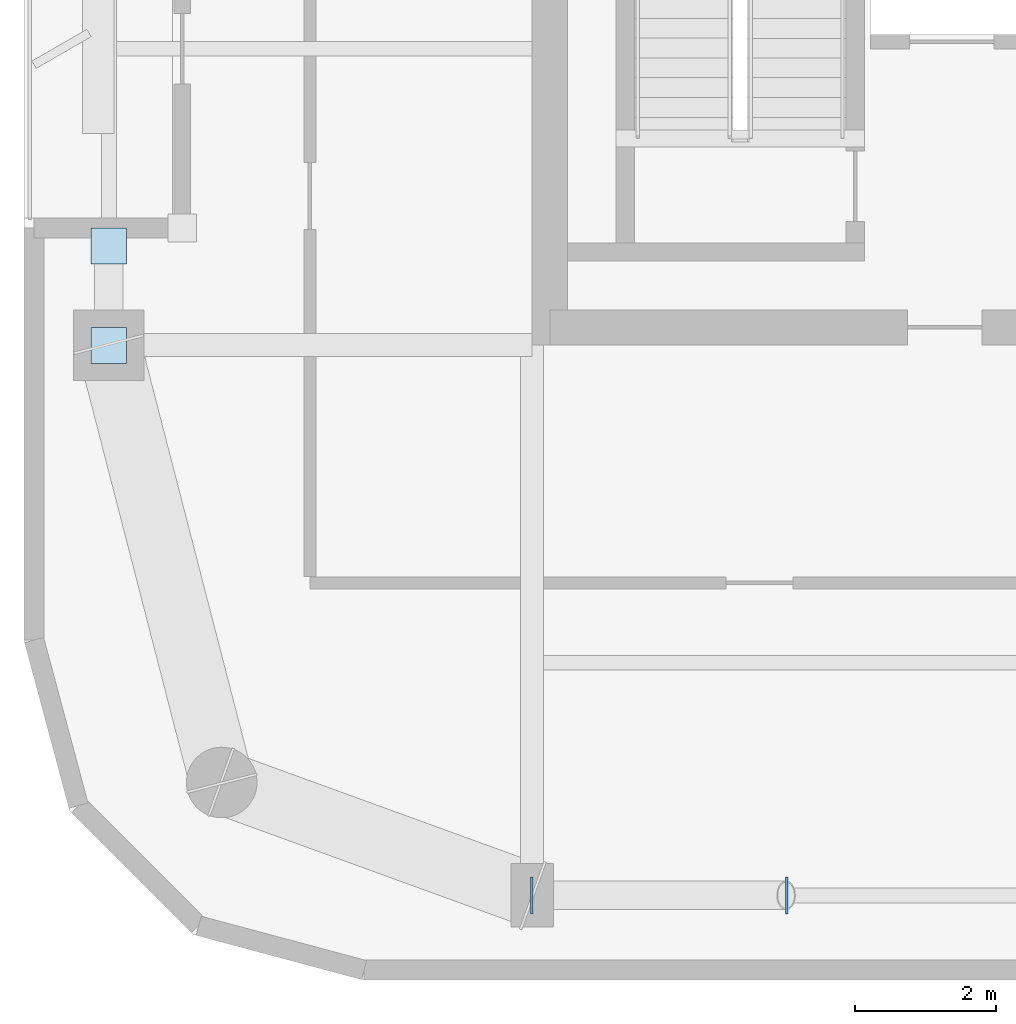
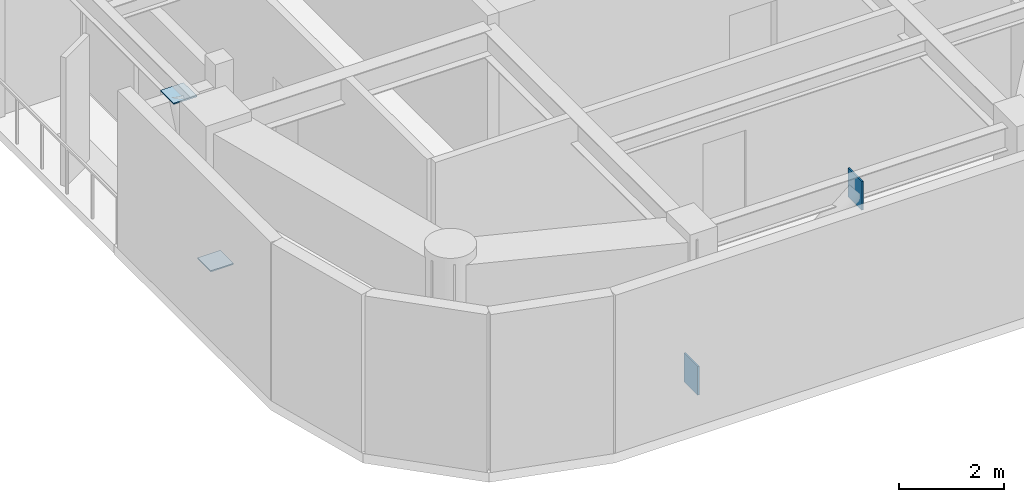
# One storey, part 8 of 15: 4 plates.
"""IFC4 building model written with IfcOpenShell, lengths in metres."""

from ifc_helpers import new_model, si_unit, direction, frame, origin, origin_2d, place, context, subcontext, project, spatial, rectangle, extrude, material, layer, layer_set, type_object, element, save


model = new_model("IFC4")

# Units and contexts
model_context = context("Model", 3, precision=1e-05, world=origin(), true_north=direction((0.0, 1.0)))
body_context = subcontext(model_context, "Body", "Model", "MODEL_VIEW")
ifc_project = project(units=[si_unit("LENGTHUNIT", "METRE"), si_unit("AREAUNIT", "SQUARE_METRE"), si_unit("VOLUMEUNIT", "CUBIC_METRE"), si_unit("PLANEANGLEUNIT", "RADIAN"), si_unit("MASSUNIT", "GRAM", prefix="KILO")], contexts=[model_context])

# Site, building, storey
site_placement = place(None, origin())
site = spatial("IfcSite", under=ifc_project, at=site_placement, CompositionType="ELEMENT")
building_placement = place(site_placement, origin())
building = spatial("IfcBuilding", under=site, at=building_placement, Name="Kiyonajd Concourse Tower", CompositionType="ELEMENT")
storey_placement = place(building_placement, frame((0.0, 0.0, 286.199951171875)))
storey = spatial("IfcBuildingStorey", under=building, at=storey_placement, Name="L72", CompositionType="ELEMENT", Elevation=286.199951171875)

# Plates
ifc_material = material(Name="Steel ASTM A572 Grade 50", Category="steel")
ifc_layer = layer(ifc_material, 0.028076171875)
ifc_layer_set = layer_set([ifc_layer], Name="Steel ASTM A572 Grade 50")
plate_type = type_object("IfcPlateType", Name="PL-CAP-450", PredefinedType="USERDEFINED", material=ifc_layer_set)
for number, where, z_axis, x_axis, name in (
    (1, (32.3916015625, 19.800048828125, -0.04248046875), (0.0, 0.0, 1.0), (-1.0, 0.0, 0.0), "L72 Hollow Brace End Cap Plate PBS"),
    (2, (36.00830078125, 19.800048828125, 3.001708984375), (0.0, 0.0, 1.0), (1.0, 0.0, 0.0), "L72 Hollow Brace Top Cap Plate PBS"),
):
    element("IfcPlate", number, at=place(storey_placement, frame(where, z_axis=z_axis, x_axis=x_axis)), inside=storey, type_object=plate_type, Name=name, ObjectType="CAP PLATE", PredefinedType="USERDEFINED", context=body_context, shape_type="SweptSolid", body=[
        extrude(rectangle(XDim=0.035888671875, YDim=0.52587890625, at=origin_2d()), origin(), (0.0, 0.0, 1.0), 0.6708984375),
    ])
for number, where, z_axis, x_axis, name in (
    (3, (26.39990234375, 27.595458984375, 0.27587890625), (0.0, 0.0, 1.0), (1.0, 0.0, 0.0), "L72 Hollow Brace End Cap Plate PBW"),
    (4, (26.39990234375, 29.004638671875, 3.326171875), (0.0, 0.0, 1.0), (1.0, 0.0, 0.0), "L72 Hollow Brace Top Cap Plate PBW"),
):
    element("IfcPlate", number, at=place(storey_placement, frame(where, z_axis=z_axis, x_axis=x_axis)), inside=storey, type_object=plate_type, Name=name, ObjectType="CAP PLATE", PredefinedType="USERDEFINED", context=body_context, shape_type="SweptSolid", body=[
        extrude(rectangle(XDim=0.506103515625, YDim=0.506103515625, at=origin_2d()), origin(), (0.0, 0.0, 1.0), 0.028076171875),
    ])

save(model, "model.ifc")
